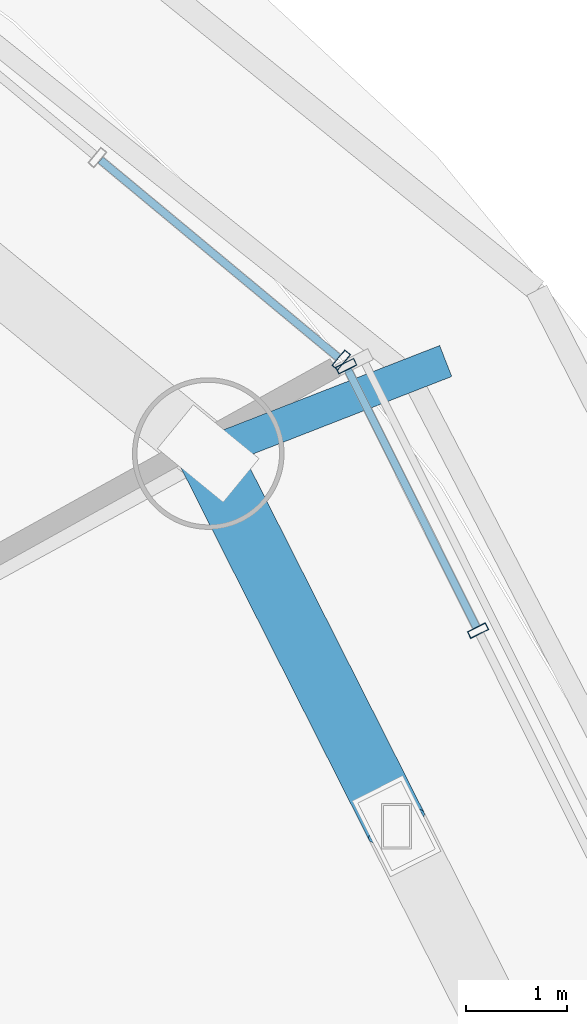
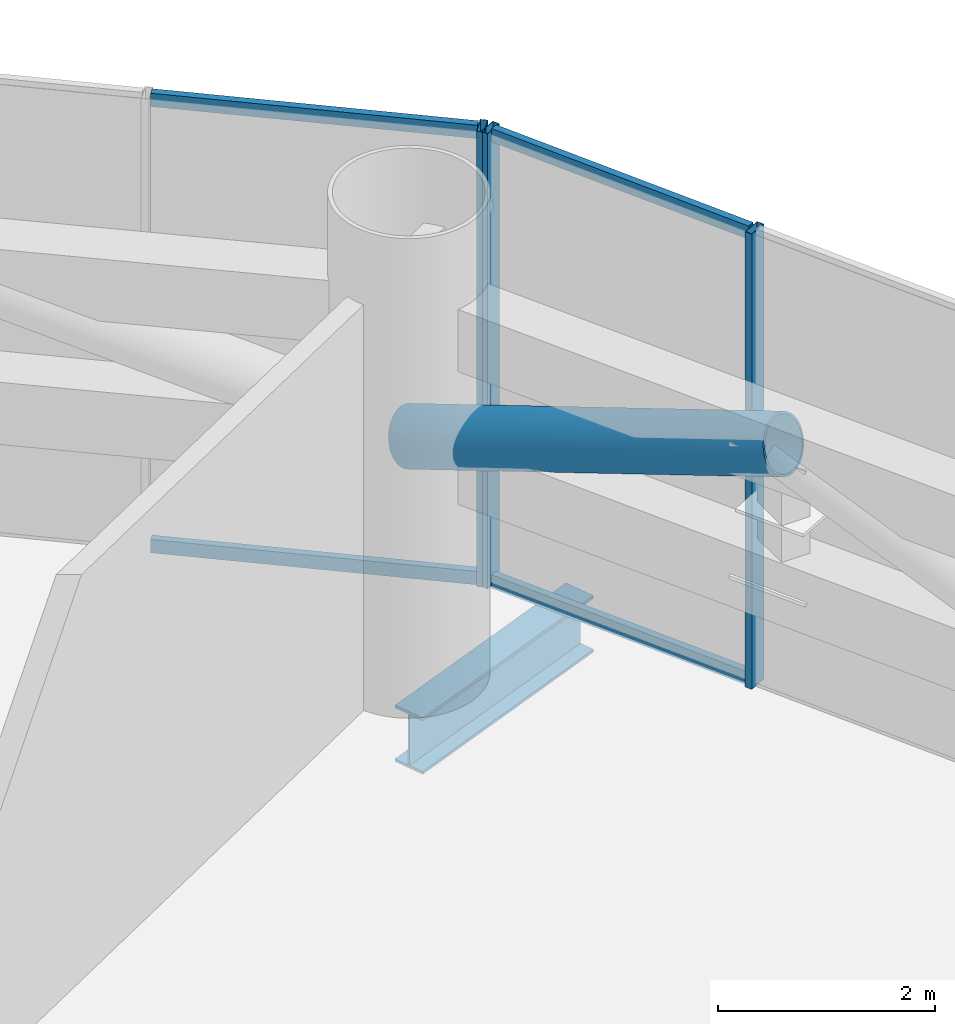
# One storey, part 25 of 33: 8 members, 1 beam, 2 elements without a shape of their own.
"""IFC4 building model written with IfcOpenShell, lengths in metres."""

from ifc_helpers import new_model, si_unit, direction, frame, origin, origin_2d, place, context, subcontext, project, spatial, hollow_rectangle, hollow_circle, i_section, extrude, source, transform, mapped, material, material_profile, profile_set, type_object, element, aggregate, save


model = new_model("IFC4")

# Units and contexts
model_context = context("Model", 3, precision=1e-05, world=origin(), true_north=direction((-0.2419218956, 0.970295726276)))
body_context = subcontext(model_context, "Body", "Model", "MODEL_VIEW")
ifc_project = project(units=[si_unit("LENGTHUNIT", "METRE"), si_unit("AREAUNIT", "SQUARE_METRE"), si_unit("VOLUMEUNIT", "CUBIC_METRE"), si_unit("PLANEANGLEUNIT", "RADIAN"), si_unit("MASSUNIT", "GRAM", prefix="KILO")], contexts=[model_context])

# Site, building, storey
site_placement = place(None, origin())
site = spatial("IfcSite", under=ifc_project, at=site_placement, CompositionType="ELEMENT")
building_placement = place(site_placement, origin())
building = spatial("IfcBuilding", under=site, at=building_placement, Name="Cobrevalo Terracotta Tower", CompositionType="ELEMENT")
storey_placement = place(building_placement, frame((0.0, 0.0, 74.39990234375)))
storey = spatial("IfcBuildingStorey", under=building, at=storey_placement, Name="L19", CompositionType="ELEMENT", Elevation=74.39990234375)

# Beam
ifc_material_1 = material(Name="Steel S355", Category="steel")
ifc_material_profile_1 = material_profile(ifc_material_1, i_section(OverallWidth=0.3291015625, OverallDepth=0.635009765625, WebThickness=0.017822265625, FlangeThickness=0.031005859375, at=origin_2d()), Name="W 610x241")
ifc_profile_set_1 = profile_set([ifc_material_profile_1], Name="Steel S355")
beam_type = type_object("IfcBeamType", Name="Structural Beam W 610x241 (Steel S355)", PredefinedType="BEAM", material=ifc_profile_set_1)
beam_placement = place(storey_placement, frame((61.0947265625, 39.0771484375, -0.767333984375), z_axis=(-0.931731877135, -0.363146952528, 0.0), x_axis=(0.363146952528, -0.931731877135, 0.0)))
element("IfcBeam", 1, at=beam_placement, inside=storey, type_object=beam_type, Name="L19 setback step-link girder 02", PredefinedType="BEAM", context=body_context, shape_type="SweptSolid", body=[
    extrude(i_section(OverallWidth=0.3291015625, OverallDepth=0.635009765625, WebThickness=0.017822265625, FlangeThickness=0.031005859375, at=origin_2d()), origin(), (0.0, 0.0, 1.0), 2.521728515625),
])

# Member
ifc_material_profile_2 = material_profile(ifc_material_1, hollow_circle(Radius=0.304931640625, WallThickness=0.02490234375, at=origin_2d()), Name="CHS 610x25")
ifc_profile_set_2 = profile_set([ifc_material_profile_2], Name="Steel S355")
member_type_1 = type_object("IfcMemberType", Name="Steel Brace CHS 610x25 (Steel S355)", PredefinedType="BRACE", material=ifc_profile_set_2)
shared_shape_1 = source(origin(), body_context, "Body", "SweptSolid", [
    extrude(hollow_circle(Radius=0.304931640625, WallThickness=0.02490234375, at=origin_2d()), origin(), (0.0, 0.0, 1.0), 4.39208984375),
])
member_1_placement = place(storey_placement, frame((58.7451171875, 38.161376953125, 2.650146484375), z_axis=(0.424132810523, -0.839204854584, 0.340362411381), x_axis=(0.892491666612, 0.451063881317, 0.0)))
element("IfcMember", 2, at=member_1_placement, inside=storey, type_object=member_type_1, Name="L19 belt truss diagonal brace 01-D2", PredefinedType="BRACE", context=body_context, shape_type="MappedRepresentation", body=[
    mapped(shared_shape_1, transform((0.0, 0.0, 0.0), scale=1.0)),
])

# Curtain wall, members
ifc_material_2 = material(Name="Anodized aluminium", Category="aluminium")
curtain_wall_type = type_object("IfcCurtainWallType", Name="Belt-truss plant acoustic weather-louvre curtain wall CW-LV", PredefinedType="NOTDEFINED", material=ifc_material_2)
curtain_wall_1_placement = place(storey_placement, origin())
curtain_wall_1 = element("IfcCurtainWall", 3, at=curtain_wall_1_placement, inside=storey, type_object=curtain_wall_type, Name="L19 curtain wall CW-LV-L19-S01", PredefinedType="NOTDEFINED")
ifc_material_profile_3 = material_profile(ifc_material_2, hollow_rectangle(XDim=0.074951171875, YDim=0.199951171875, WallThickness=0.0048828125, at=origin_2d()), Name="CWM 75x200")
ifc_profile_set_3 = profile_set([ifc_material_profile_3], Name="Anodized aluminium")
member_type_2 = type_object("IfcMemberType", Name="Lower/mid tower unitised mullion 75x200", PredefinedType="MULLION", material=ifc_profile_set_3)
shared_shape_2 = source(origin(), body_context, "Body", "SweptSolid", [
    extrude(hollow_rectangle(XDim=0.074951171875, YDim=0.199951171875, WallThickness=0.0048828125, at=origin_2d()), origin(), (0.0, 0.0, 1.0), 5.125),
])
member_2_placement = place(storey_placement, frame((61.41455078125, 36.409423828125, 0.0), z_axis=(0.0, 0.0, 1.0), x_axis=(-0.446260290227, 0.894903208937, 0.0)))
member_2 = element("IfcMember", 4, at=member_2_placement, type_object=member_type_2, Name="CW-LV-L19-S01 vertical mullion 03", PredefinedType="MULLION", context=body_context, shape_type="MappedRepresentation", body=[
    mapped(shared_shape_2, transform((0.0, 0.0, 0.0), scale=1.0)),
])
member_3_placement = place(storey_placement, frame((60.110107421875, 39.025634765625, 0.0), z_axis=(0.0, 0.0, 1.0), x_axis=(-0.446260290227, 0.894903208937, 0.0)))
member_3 = element("IfcMember", 5, at=member_3_placement, type_object=member_type_2, Name="CW-LV-L19-S01 vertical mullion 04", PredefinedType="MULLION", context=body_context, shape_type="MappedRepresentation", body=[
    mapped(shared_shape_2, transform((0.0, 0.0, 0.0), scale=1.0)),
])

# Curtain wall, member
curtain_wall_2_placement = place(storey_placement, origin())
curtain_wall_2 = element("IfcCurtainWall", 6, at=curtain_wall_2_placement, inside=storey, type_object=curtain_wall_type, Name="L19 curtain wall CW-LV-L19-S02", PredefinedType="NOTDEFINED")
member_4_placement = place(storey_placement, frame((60.061279296875, 39.0869140625, 0.0), z_axis=(0.0, 0.0, 1.0), x_axis=(-0.769243451658, 0.638955798222, 0.0)))
member_4 = element("IfcMember", 7, at=member_4_placement, type_object=member_type_2, Name="CW-LV-L19-S02 vertical mullion 01", PredefinedType="MULLION", context=body_context, shape_type="MappedRepresentation", body=[
    mapped(shared_shape_2, transform((0.0, 0.0, 0.0), scale=1.0)),
])

# Member
ifc_material_profile_4 = material_profile(ifc_material_2, hollow_rectangle(XDim=0.074951171875, YDim=0.14990234375, WallThickness=0.00439453125, at=origin_2d()), Name="CWT 75x150")
ifc_profile_set_4 = profile_set([ifc_material_profile_4], Name="Anodized aluminium")
member_type_3 = type_object("IfcMemberType", Name="Tower unitised aluminium transom 75x150", PredefinedType="USERDEFINED", material=ifc_profile_set_4)
shared_shape_3 = source(origin(), body_context, "Body", "SweptSolid", [
    extrude(hollow_rectangle(XDim=0.074951171875, YDim=0.14990234375, WallThickness=0.00439453125, at=origin_2d()), origin(), (0.0, 0.0, 1.0), 2.84326171875),
])
member_5_placement = place(storey_placement, frame((61.396728515625, 36.4453125, 0.050048828125), z_axis=(-0.446251624805, 0.89490753006, 0.0), x_axis=(-0.89490753006, -0.446251624805, 0.0)))
member_5 = element("IfcMember", 8, at=member_5_placement, type_object=member_type_3, Name="CW-LV-L19-S01 transom B03-T1", ObjectType="TRANSOM", PredefinedType="USERDEFINED", context=body_context, shape_type="MappedRepresentation", body=[
    mapped(shared_shape_3, transform((0.0, 0.0, 0.0), scale=1.0)),
])

member_6_placement = place(storey_placement, frame((61.396728515625, 36.4453125, 5.0751953125), z_axis=(-0.446251624805, 0.89490753006, 0.0), x_axis=(-0.89490753006, -0.446251624805, 0.0)))
member_6 = element("IfcMember", 9, at=member_6_placement, type_object=member_type_3, Name="CW-LV-L19-S01 transom B03-T2", ObjectType="TRANSOM", PredefinedType="USERDEFINED", context=body_context, shape_type="MappedRepresentation", body=[
    mapped(shared_shape_3, transform((0.0, 0.0, 0.0), scale=1.0)),
])

aggregate(curtain_wall_1, [member_2, member_3, member_5, member_6])

shared_shape_4 = source(origin(), body_context, "Body", "SweptSolid", [
    extrude(hollow_rectangle(XDim=0.074951171875, YDim=0.14990234375, WallThickness=0.00439453125, at=origin_2d()), origin(), (0.0, 0.0, 1.0), 3.056396484375),
])
member_7_placement = place(storey_placement, frame((60.030517578125, 39.112548828125, 0.050048828125), z_axis=(-0.769202453253, 0.639005153273, 0.0), x_axis=(-0.639005153273, -0.769202453253, 0.0)))
member_7 = element("IfcMember", 10, at=member_7_placement, type_object=member_type_3, Name="CW-LV-L19-S02 transom B01-T1", ObjectType="TRANSOM", PredefinedType="USERDEFINED", context=body_context, shape_type="MappedRepresentation", body=[
    mapped(shared_shape_4, transform((0.0, 0.0, 0.0), scale=1.0)),
])

member_8_placement = place(storey_placement, frame((60.030517578125, 39.112548828125, 5.0751953125), z_axis=(-0.769202453253, 0.639005153273, 0.0), x_axis=(-0.639005153273, -0.769202453253, 0.0)))
member_8 = element("IfcMember", 11, at=member_8_placement, type_object=member_type_3, Name="CW-LV-L19-S02 transom B01-T2", ObjectType="TRANSOM", PredefinedType="USERDEFINED", context=body_context, shape_type="MappedRepresentation", body=[
    mapped(shared_shape_4, transform((0.0, 0.0, 0.0), scale=1.0)),
])

aggregate(curtain_wall_2, [member_4, member_7, member_8])

save(model, "model.ifc")
